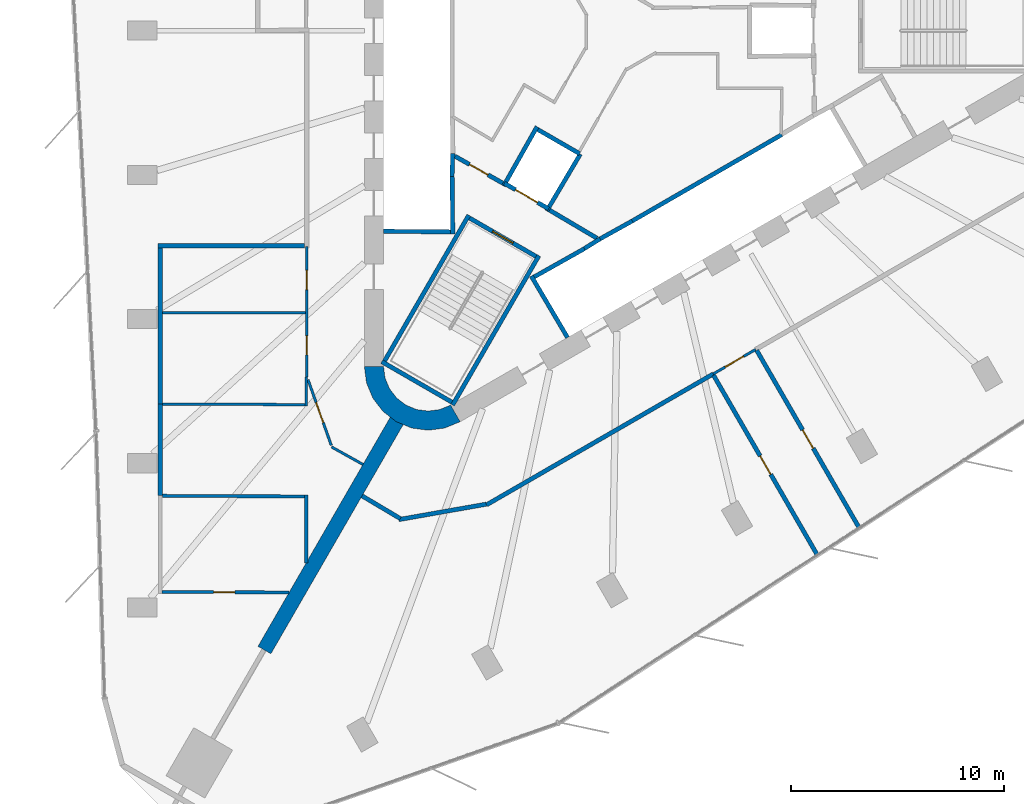
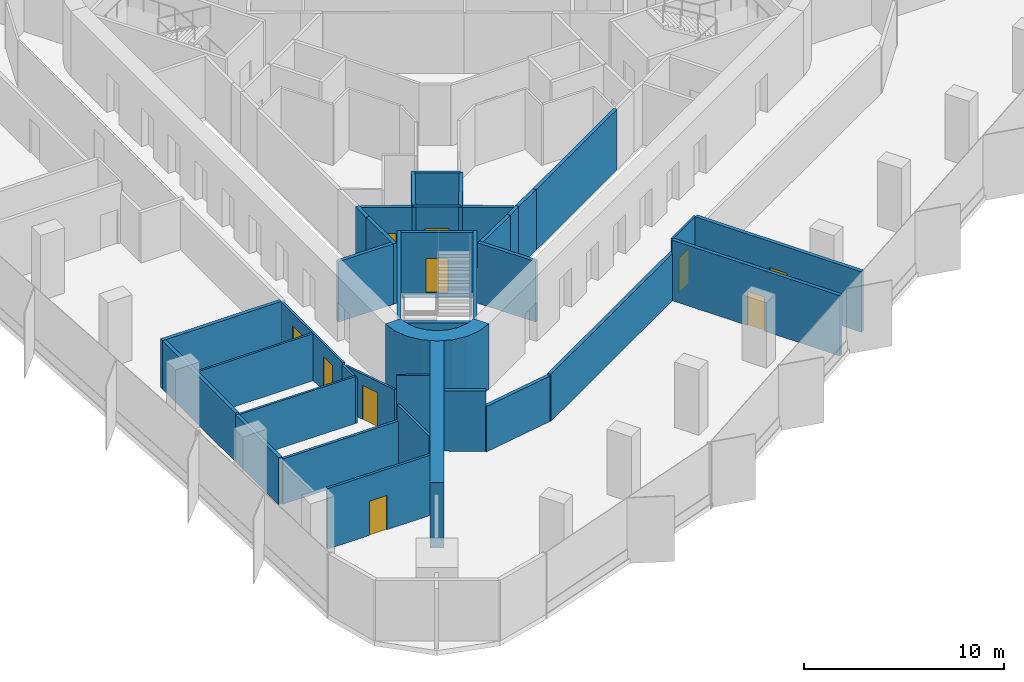
# One storey, part 8 of 13: 38 walls, 10 doors, 10 openings.
"""IFC4 building model written with IfcOpenShell, lengths in metres."""

import ifcopenshell
import ifcopenshell.guid

model = None  # the IFC model being written
_history = None  # IfcOwnerHistory: only IFC2X3 demands one
_inside = {}  # id of a spatial element -> (the spatial element, [elements in it])
_under = {}  # id of a project, library or spatial element -> (it, [spatial elements below it])
_declared = {}  # id of a project -> (the project, [libraries it declares])
_typed = {}  # id of a type object -> (the type object, [elements of that type])
_made_of = {}  # id of a material, layer set ... -> (it, [elements and type objects made of it])


def new_model(schema):
    """Start an empty IFC model of exactly this schema.

    Asked for "IFC4X3", IfcOpenShell would pick the latest addendum, in which some entities
    have other attributes; the version numbers below select the first issue.
    IFC2X3 requires an IfcOwnerHistory on every rooted entity: one is made here for all.
    """
    global model, _history
    if schema == "IFC4X3":
        model = ifcopenshell.file(schema_version=(4, 3, 0, 0))
    else:
        model = ifcopenshell.file(schema=schema)
    _inside.clear()
    _under.clear()
    _declared.clear()
    _typed.clear()
    _made_of.clear()
    _history = None
    if model.schema == "IFC2X3":
        org = make("IfcOrganization", Name="unknown")
        user = make(
            "IfcPersonAndOrganization",
            ThePerson=make("IfcPerson", FamilyName="unknown"),
            TheOrganization=org,
        )
        app = make(
            "IfcApplication",
            ApplicationDeveloper=org,
            Version="unknown",
            ApplicationFullName="unknown",
            ApplicationIdentifier="unknown",
        )
        _history = make(
            "IfcOwnerHistory",
            OwningUser=user,
            OwningApplication=app,
            ChangeAction="ADDED",
            CreationDate=0,
        )
    return model


def make(cls, **values):
    """One entity of the class cls with the attributes given. An attribute that is None is left unset."""
    return model.create_entity(
        cls, **{name: value for name, value in values.items() if value is not None}
    )


def rooted(cls, **values):
    """An entity with a GlobalId (a new one), such as an element, a storey or a relation."""
    return make(cls, GlobalId=ifcopenshell.guid.new(), OwnerHistory=_history, **values)


def si_unit(unit_type, name, prefix=None):
    """IfcSIUnit, for example si_unit("LENGTHUNIT", "METRE", prefix="MILLI")."""
    return make("IfcSIUnit", UnitType=unit_type, Prefix=prefix, Name=name)


def assignment(units):
    """IfcUnitAssignment: the units of a project."""
    return None if units is None else make("IfcUnitAssignment", Units=units)


def point(xyz):
    """IfcCartesianPoint."""
    return None if xyz is None else make("IfcCartesianPoint", Coordinates=xyz)


def direction(xyz):
    """IfcDirection."""
    return None if xyz is None else make("IfcDirection", DirectionRatios=xyz)


def frame(location, z_axis=None, x_axis=None):
    """IfcAxis2Placement3D, a coordinate frame: its origin and axes. An axis left out is left unset."""
    return make(
        "IfcAxis2Placement3D",
        Location=point(location),
        Axis=direction(z_axis),
        RefDirection=direction(x_axis),
    )


def frame_2d(location, x_axis=None):
    """IfcAxis2Placement2D, a coordinate frame in the plane: its origin and x axis."""
    return make(
        "IfcAxis2Placement2D", Location=point(location), RefDirection=direction(x_axis)
    )


def origin():
    """The frame at (0, 0, 0) with its axes left unset."""
    return frame((0.0, 0.0, 0.0))


def place(relative_to, where):
    """IfcLocalPlacement: puts the frame where relative to a parent placement (None: the world)."""
    return make(
        "IfcLocalPlacement", PlacementRelTo=relative_to, RelativePlacement=where
    )


def context(
    kind, dimensions, precision=None, world=None, true_north=None, identifier=None
):
    """IfcGeometricRepresentationContext, for example the 3D "Model" context."""
    return make(
        "IfcGeometricRepresentationContext",
        ContextIdentifier=identifier,
        ContextType=kind,
        CoordinateSpaceDimension=dimensions,
        Precision=precision,
        WorldCoordinateSystem=world,
        TrueNorth=true_north,
    )


def subcontext(parent, identifier, kind, view, scale=None):
    """IfcGeometricRepresentationSubContext, for example "Body" below "Model"."""
    return make(
        "IfcGeometricRepresentationSubContext",
        ContextIdentifier=identifier,
        ContextType=kind,
        ParentContext=parent,
        TargetScale=scale,
        TargetView=view,
    )


def project(units=None, contexts=None):
    """IfcProject with its units and contexts."""
    return rooted(
        "IfcProject",
        Name="project",
        RepresentationContexts=contexts,
        UnitsInContext=assignment(units),
    )


def spatial(cls, under=None, at=None, **own):
    """A site, building, storey or space (cls), placed at a placement, below another one or the project."""
    s = rooted(cls, ObjectPlacement=at, **own)
    if under is not None:
        _under.setdefault(under.id(), (under, []))[1].append(s)
    return s


def polyline(points):
    """IfcPolyline through the points."""
    return make("IfcPolyline", Points=[point(p) for p in points])


def profile(cls, at=None, kind="AREA", **sizes):
    """A parametric profile (cls). Its sizes go by their IFC names, for example OverallWidth=200.0."""
    return make(cls, ProfileType=kind, Position=at, **sizes)


def rectangle(**sizes):
    """IfcRectangleProfileDef."""
    return profile("IfcRectangleProfileDef", **sizes)


def outline(outer, holes=None, kind="AREA"):
    """IfcArbitraryClosedProfileDef: a profile drawn as a closed curve; with holes, ...WithVoids."""
    if holes is None:
        return make("IfcArbitraryClosedProfileDef", ProfileType=kind, OuterCurve=outer)
    return make(
        "IfcArbitraryProfileDefWithVoids",
        ProfileType=kind,
        OuterCurve=outer,
        InnerCurves=holes,
    )


def extrude(swept, where, along, depth):
    """IfcExtrudedAreaSolid: the profile swept, set in the frame where, extruded along a direction by depth."""
    return make(
        "IfcExtrudedAreaSolid",
        SweptArea=swept,
        Position=where,
        ExtrudedDirection=direction(along),
        Depth=depth,
    )


def shape(context_of_items, identifier, shape_type, items):
    """IfcShapeRepresentation: the items that make up one representation, for example the "Body"."""
    return make(
        "IfcShapeRepresentation",
        ContextOfItems=context_of_items,
        RepresentationIdentifier=identifier,
        RepresentationType=shape_type,
        Items=items,
    )


def material(Name=None, Category=None):
    """IfcMaterial."""
    return make("IfcMaterial", Name=Name, Category=Category)


def layer(
    of_material, thickness, ventilated=None, Name=None, Category=None, Priority=None
):
    """IfcMaterialLayer: one layer of a wall or slab, of a material (None: an air gap)."""
    return make(
        "IfcMaterialLayer",
        Material=of_material,
        LayerThickness=thickness,
        IsVentilated=ventilated,
        Name=Name,
        Category=Category,
        Priority=Priority,
    )


def layer_set(layers, Name=None):
    """IfcMaterialLayerSet."""
    return make("IfcMaterialLayerSet", MaterialLayers=layers, LayerSetName=Name)


def made_of(thing, what):
    """Note that an element or type object is made of a material, layer set ...; save() writes the relation."""
    if what is not None:
        _made_of.setdefault(what.id(), (what, []))[1].append(thing)
    return thing


def type_object(cls, material=None, **own):
    """A type object (cls), such as IfcWallType, which elements share."""
    return made_of(rooted(cls, **own), material)


def element(
    cls,
    number,
    at=None,
    inside=None,
    cuts=None,
    type_object=None,
    material=None,
    context=None,
    identifier="Body",
    shape_type=None,
    held_by="IfcProductDefinitionShape",
    body=None,
    shapes=None,
    **own,
):
    """One element of the class cls, such as IfcWall. Its Tag is "e" and its number.

    at: its placement. inside: the storey or other place that contains it. cuts: it is an
    opening in that element (IfcRelVoidsElement). A single representation is given by context,
    identifier, shape_type and body (its items); several are given by shapes. held_by: the class
    of the entity that holds the representations. save() writes the other relations.
    """
    e = rooted(cls, Tag="e%d" % number, ObjectPlacement=at, **own)
    if body is not None:
        shapes = [shape(context, identifier, shape_type, body)]
    if shapes is not None:
        e.Representation = make(held_by, Representations=shapes)
    if inside is not None:
        _inside.setdefault(inside.id(), (inside, []))[1].append(e)
    if cuts is not None:
        rooted(
            "IfcRelVoidsElement", RelatingBuildingElement=cuts, RelatedOpeningElement=e
        )
    if type_object is not None:
        _typed.setdefault(type_object.id(), (type_object, []))[1].append(e)
    return made_of(e, material)


def fill(opening, filler):
    """IfcRelFillsElement: the door or window that sits in an opening."""
    return rooted(
        "IfcRelFillsElement",
        RelatingOpeningElement=opening,
        RelatedBuildingElement=filler,
    )


def aggregate(whole, parts):
    """IfcRelAggregates: a whole, such as a stair, and the parts it consists of."""
    return rooted("IfcRelAggregates", RelatingObject=whole, RelatedObjects=parts)


def save(model, path):
    """Write the relations noted so far, then the file.

    IfcRelAggregates (storeys below a building ...), IfcRelContainedInSpatialStructure (elements
    in a storey), IfcRelDefinesByType, IfcRelAssociatesMaterial and IfcRelDeclares: one each for
    every whole, place, type object, material and project.
    """
    for whole, parts in _under.values():
        aggregate(whole, parts)
    for where, things in _inside.values():
        rooted(
            "IfcRelContainedInSpatialStructure",
            RelatedElements=things,
            RelatingStructure=where,
        )
    for kind, things in _typed.values():
        rooted("IfcRelDefinesByType", RelatedObjects=things, RelatingType=kind)
    for what, things in _made_of.values():
        rooted("IfcRelAssociatesMaterial", RelatedObjects=things, RelatingMaterial=what)
    for by, libraries in _declared.values():
        rooted("IfcRelDeclares", RelatingContext=by, RelatedDefinitions=libraries)
    model.write(path)


model = new_model("IFC4")

# Units and contexts
model_context = context("Model", 3, precision=1e-05, world=origin(), true_north=direction((0.0, 1.0)))
body_context = subcontext(model_context, "Body", "Model", "MODEL_VIEW")
ifc_project = project(units=[si_unit("LENGTHUNIT", "METRE"), si_unit("AREAUNIT", "SQUARE_METRE"), si_unit("VOLUMEUNIT", "CUBIC_METRE"), si_unit("PLANEANGLEUNIT", "RADIAN"), si_unit("MASSUNIT", "GRAM", prefix="KILO")], contexts=[model_context])

# Site, building, storey
site_placement = place(None, origin())
site = spatial("IfcSite", under=ifc_project, at=site_placement, CompositionType="ELEMENT")
building_placement = place(site_placement, origin())
building = spatial("IfcBuilding", under=site, at=building_placement, Name="Tanit Gate Tower", CompositionType="ELEMENT")
storey_placement = place(building_placement, frame((0.0, 0.0, 173.199951171875)))
storey = spatial("IfcBuildingStorey", under=building, at=storey_placement, Name="L37", CompositionType="ELEMENT", Elevation=173.199951171875)

# Walls
ifc_material_1 = material(Name="Concrete C50/60", Category="concrete")
ifc_layer_1 = layer(ifc_material_1, 0.699951171875)
ifc_layer_set_1 = layer_set([ifc_layer_1], Name="BUTTRESS FIN 700 C50/60")
wall_type_1 = type_object("IfcWallType", Name="BUTTRESS FIN 700 C50/60", PredefinedType="SHEAR", material=ifc_layer_set_1)
wall_1_placement = place(storey_placement, frame((-10.574951171875, -18.31640625, 0.0), z_axis=(0.0, 0.0, 1.0), x_axis=(-0.499995558535, -0.86602796805, 0.0)))
element("IfcWall", 1, at=wall_1_placement, inside=storey, type_object=wall_type_1, Name="BUTTRESS FIN", PredefinedType="SHEAR", context=body_context, shape_type="SweptSolid", body=[
    extrude(rectangle(XDim=12.4326171875, YDim=0.699951171875, at=frame_2d((6.21630859375, 0.0))), origin(), (0.0, 0.0, 1.0), 4.0),
])
ifc_material_2 = material(Name="Concrete C50/60", Category="concrete")
ifc_layer_2 = layer(ifc_material_2, 0.89990234375)
ifc_layer_set_2 = layer_set([ifc_layer_2], Name="CORE WALL 900 C50/60")
wall_type_2 = type_object("IfcWallType", Name="CORE WALL 900 C50/60", PredefinedType="SHEAR", material=ifc_layer_set_2)
wall_2_placement = place(storey_placement, origin())
element("IfcWall", 2, at=wall_2_placement, inside=storey, type_object=wall_type_2, Name="CORE WALL CORNER", PredefinedType="SHEAR", context=body_context, shape_type="SweptSolid", body=[
    extrude(outline(polyline([(-12.10009765625, -15.76171875), (-11.997802734375, -16.5380859375), (-11.697998046875, -17.26171875), (-11.22119140625, -17.883056640625), (-10.60009765625, -18.359619140625), (-9.87646484375, -18.659423828125), (-9.10009765625, -18.76171875), (-8.323486328125, -18.659423828125), (-7.60009765625, -18.359619140625), (-8.050048828125, -17.580322265625), (-8.556396484375, -17.7900390625), (-9.10009765625, -17.86181640625), (-9.6435546875, -17.7900390625), (-10.14990234375, -17.580322265625), (-10.5849609375, -17.24658203125), (-10.918701171875, -16.811767578125), (-11.12841796875, -16.30517578125), (-11.199951171875, -15.76171875), (-12.10009765625, -15.76171875)])), origin(), (0.0, 0.0, 1.0), 4.0),
])
ifc_material_3 = material(Name="Fire-rated gypsum board partition")
ifc_layer_3 = layer(ifc_material_3, 0.199951171875)
ifc_layer_set_3 = layer_set([ifc_layer_3], Name="INT-WALL-COMPARTMENT")
wall_type_3 = type_object("IfcWallType", Name="INT-WALL-COMPARTMENT", PredefinedType="PARTITIONING", material=ifc_layer_set_3)
wall_3_placement = place(storey_placement, frame((-3.400634765625, -8.43017578125, 0.0), z_axis=(0.0, 0.0, 1.0), x_axis=(0.860615607571, -0.509255118781, 0.0)))
element("IfcWall", 3, at=wall_3_placement, inside=storey, type_object=wall_type_3, Name="Wall Compartment W063", PredefinedType="PARTITIONING", context=body_context, shape_type="SweptSolid", body=[
    extrude(rectangle(XDim=2.58056640625, YDim=0.199951171875, at=frame_2d((1.290283203125, 0.0))), origin(), (0.0, 0.0, 1.0), 3.699951171875),
])

# Wall, opening, door
wall_4_placement = place(storey_placement, frame((-7.849365234375, -5.893798828125, 0.0), z_axis=(0.0, 0.0, 1.0), x_axis=(0.871363259478, -0.490638431059, 0.0)))
wall_4 = element("IfcWall", 4, at=wall_4_placement, inside=storey, type_object=wall_type_3, Name="Wall Compartment W064", PredefinedType="PARTITIONING", context=body_context, shape_type="SweptSolid", body=[
    extrude(rectangle(XDim=2.5810546875, YDim=0.199951171875, at=frame_2d((1.29052734375, 0.0))), origin(), (0.0, 0.0, 1.0), 3.699951171875),
])
opening_1_placement = place(wall_4_placement, frame((0.79052734375, 0.0, 0.0)))
opening_1 = element("IfcOpeningElement", 5, at=opening_1_placement, cuts=wall_4, Name="Opening F10-S09-08", PredefinedType="OPENING", context=body_context, shape_type="SweptSolid", body=[
    extrude(rectangle(XDim=1.0, YDim=2.10009765625, at=frame_2d((0.5, 1.050048828125))), frame((0.0, 0.10986328125, 0.0), z_axis=(0.0, -1.0, 0.0), x_axis=(1.0, 0.0, 0.0)), (0.0, 0.0, 1.0), 0.219970703125),
])
ifc_material_4 = material(Name="Fire-rated steel door leaf", Category="steel")
door_type_1 = type_object("IfcDoorType", Name="INT-DOOR-FIRE-1000", OperationType="NOTDEFINED", PredefinedType="USERDEFINED", material=ifc_material_4)
door_1_placement = place(opening_1_placement, origin())
door_1 = element("IfcDoor", 6, at=door_1_placement, inside=storey, type_object=door_type_1, Name="Door F10-S09-08", ObjectType="FIRE DOOR", OperationType="SINGLE_SWING_LEFT", OverallHeight=2.10009765625, OverallWidth=1.0, PredefinedType="USERDEFINED", context=body_context, shape_type="SweptSolid", body=[
    extrude(rectangle(XDim=1.0, YDim=2.10009765625, at=frame_2d((0.5, 1.050048828125))), frame((0.0, 0.02490234375, 0.0), z_axis=(0.0, -1.0, 0.0), x_axis=(1.0, 0.0, 0.0)), (0.0, 0.0, 1.0), 0.050048828125),
])
fill(opening_1, door_1)

# Walls
wall_5_placement = place(storey_placement, frame((-6.3662109375, -22.26611328125, 0.0), z_axis=(0.0, 0.0, 1.0), x_axis=(0.866024234898, 0.500002024564, 0.0)))
element("IfcWall", 7, at=wall_5_placement, inside=storey, type_object=wall_type_3, Name="Wall Compartment W108", PredefinedType="PARTITIONING", context=body_context, shape_type="SweptSolid", body=[
    extrude(rectangle(XDim=12.29638671875, YDim=0.199951171875, at=frame_2d((6.148193359375, 0.0))), origin(), (0.0, 0.0, 1.0), 2.880126953125),
])
wall_6_placement = place(storey_placement, frame((-10.479736328125, -22.956787109375, 0.0), z_axis=(0.0, 0.0, 1.0), x_axis=(0.984812459939, 0.173621481242, 0.0)))
element("IfcWall", 8, at=wall_6_placement, inside=storey, type_object=wall_type_3, Name="Wall Compartment W109", PredefinedType="PARTITIONING", context=body_context, shape_type="SweptSolid", body=[
    extrude(rectangle(XDim=4.1650390625, YDim=0.199951171875, at=frame_2d((2.08251953125, 0.0))), origin(), (0.0, 0.0, 1.0), 2.780029296875),
])
wall_7_placement = place(storey_placement, frame((-12.20703125, -21.84326171875, 0.0), z_axis=(0.0, 0.0, 1.0), x_axis=(0.859912345357, -0.510441728606, 0.0)))
element("IfcWall", 9, at=wall_7_placement, inside=storey, type_object=wall_type_3, Name="Wall Compartment W110", PredefinedType="PARTITIONING", context=body_context, shape_type="SweptSolid", body=[
    extrude(rectangle(XDim=2.093017578125, YDim=0.199951171875, at=frame_2d((1.04638671875, 0.0))), origin(), (0.0, 0.0, 1.0), 3.699951171875),
])
wall_8_placement = place(storey_placement, frame((-14.89990234375, -10.10009765625, 0.0), z_axis=(0.0, 0.0, 1.0), x_axis=(-1.0, 0.0, 0.0)))
element("IfcWall", 10, at=wall_8_placement, inside=storey, type_object=wall_type_3, Name="Wall Compartment W115", PredefinedType="PARTITIONING", context=body_context, shape_type="SweptSolid", body=[
    extrude(rectangle(XDim=6.880126953125, YDim=0.199951171875, at=frame_2d((3.43994140625, 0.0))), origin(), (0.0, 0.0, 1.0), 2.97998046875),
])
wall_9_placement = place(storey_placement, frame((-21.679931640625, -21.8330078125, 0.0), z_axis=(0.0, 0.0, 1.0), x_axis=(0.0, 1.0, 0.0)))
element("IfcWall", 11, at=wall_9_placement, inside=storey, type_object=wall_type_3, Name="Wall Compartment W118", PredefinedType="PARTITIONING", context=body_context, shape_type="SweptSolid", body=[
    extrude(rectangle(XDim=4.302490234375, YDim=0.199951171875, at=frame_2d((2.1513671875, 0.0))), origin(), (0.0, 0.0, 1.0), 2.880126953125),
])
wall_10_placement = place(storey_placement, frame((-21.679931640625, -17.530517578125, 0.0), z_axis=(0.0, 0.0, 1.0), x_axis=(0.0, 1.0, 0.0)))
element("IfcWall", 12, at=wall_10_placement, inside=storey, type_object=wall_type_3, Name="Wall Compartment W117", PredefinedType="PARTITIONING", context=body_context, shape_type="SweptSolid", body=[
    extrude(rectangle(XDim=7.33056640625, YDim=0.199951171875, at=frame_2d((3.665283203125, 0.0))), origin(), (0.0, 0.0, 1.0), 2.97998046875),
])

# Wall, opening, door
wall_11_placement = place(storey_placement, frame((11.134033203125, -23.344482421875, 0.0), z_axis=(0.0, 0.0, 1.0), x_axis=(-0.50000792458, 0.866020828478, 0.0)))
wall_11 = element("IfcWall", 13, at=wall_11_placement, inside=storey, type_object=wall_type_3, Name="Wall Compartment W127", PredefinedType="PARTITIONING", context=body_context, shape_type="SweptSolid", body=[
    extrude(rectangle(XDim=9.623779296875, YDim=0.199951171875, at=frame_2d((4.81201171875, 0.0))), origin(), (0.0, 0.0, 1.0), 3.699951171875),
])
opening_2_placement = place(wall_11_placement, frame((4.31201171875, 0.0, 0.0)))
opening_2 = element("IfcOpeningElement", 14, at=opening_2_placement, cuts=wall_11, Name="Opening F10-S09-28", PredefinedType="OPENING", context=body_context, shape_type="SweptSolid", body=[
    extrude(rectangle(XDim=1.0, YDim=2.10009765625, at=frame_2d((0.5, 1.050048828125))), frame((0.0, 0.10986328125, 0.0), z_axis=(0.0, -1.0, 0.0), x_axis=(1.0, 0.0, 0.0)), (0.0, 0.0, 1.0), 0.219970703125),
])
door_2_placement = place(opening_2_placement, origin())
door_2 = element("IfcDoor", 15, at=door_2_placement, inside=storey, type_object=door_type_1, Name="Door F10-S09-28", ObjectType="FIRE DOOR", OperationType="SINGLE_SWING_LEFT", OverallHeight=2.10009765625, OverallWidth=1.0, PredefinedType="USERDEFINED", context=body_context, shape_type="SweptSolid", body=[
    extrude(rectangle(XDim=1.0, YDim=2.10009765625, at=frame_2d((0.5, 1.050048828125))), frame((0.0, 0.02490234375, 0.0), z_axis=(0.0, -1.0, 0.0), x_axis=(1.0, 0.0, 0.0)), (0.0, 0.0, 1.0), 0.050048828125),
])
fill(opening_2, door_2)

wall_12_placement = place(storey_placement, frame((4.29541015625, -16.179931640625, 0.0), z_axis=(0.0, 0.0, 1.0), x_axis=(0.500010870188, -0.866019127788, 0.0)))
wall_12 = element("IfcWall", 16, at=wall_12_placement, inside=storey, type_object=wall_type_3, Name="Wall Compartment W128", PredefinedType="PARTITIONING", context=body_context, shape_type="SweptSolid", body=[
    extrude(rectangle(XDim=9.745361328125, YDim=0.199951171875, at=frame_2d((4.87255859375, 0.0))), origin(), (0.0, 0.0, 1.0), 3.699951171875),
])
opening_3_placement = place(wall_12_placement, frame((4.372802734375, 0.0, 0.0)))
opening_3 = element("IfcOpeningElement", 17, at=opening_3_placement, cuts=wall_12, Name="Opening F10-S09-29", PredefinedType="OPENING", context=body_context, shape_type="SweptSolid", body=[
    extrude(rectangle(XDim=1.0, YDim=2.10009765625, at=frame_2d((0.5, 1.050048828125))), frame((0.0, 0.10986328125, 0.0), z_axis=(0.0, -1.0, 0.0), x_axis=(1.0, 0.0, 0.0)), (0.0, 0.0, 1.0), 0.219970703125),
])
door_3_placement = place(opening_3_placement, origin())
door_3 = element("IfcDoor", 18, at=door_3_placement, inside=storey, type_object=door_type_1, Name="Door F10-S09-29", ObjectType="FIRE DOOR", OperationType="SINGLE_SWING_LEFT", OverallHeight=2.10009765625, OverallWidth=1.0, PredefinedType="USERDEFINED", context=body_context, shape_type="SweptSolid", body=[
    extrude(rectangle(XDim=1.0, YDim=2.10009765625, at=frame_2d((0.5, 1.050048828125))), frame((0.0, 0.02490234375, 0.0), z_axis=(0.0, -1.0, 0.0), x_axis=(1.0, 0.0, 0.0)), (0.0, 0.0, 1.0), 0.050048828125),
])
fill(opening_3, door_3)

# Wall, openings, doors
ifc_material_5 = material(Name="Gypsum board partition")
ifc_layer_4 = layer(ifc_material_5, 0.1201171875)
ifc_layer_set_4 = layer_set([ifc_layer_4], Name="INT-WALL-PARTITION")
wall_type_4 = type_object("IfcWallType", Name="INT-WALL-PARTITION", PredefinedType="PARTITIONING", material=ifc_layer_set_4)
wall_13_placement = place(storey_placement, frame((-14.800048828125, -10.1298828125, 0.0), z_axis=(0.0, 0.0, 1.0), x_axis=(0.0, -1.0, 0.0)))
wall_13 = element("IfcWall", 19, at=wall_13_placement, inside=storey, type_object=wall_type_4, Name="Wall Partition W093", PredefinedType="PARTITIONING", context=body_context, shape_type="SweptSolid", body=[
    extrude(rectangle(XDim=6.138427734375, YDim=0.1201171875, at=frame_2d((3.0693359375, 0.0))), origin(), (0.0, 0.0, 1.0), 2.880126953125),
])
opening_4_placement = place(wall_13_placement, frame((1.127197265625, 0.0, 0.0)))
opening_4 = element("IfcOpeningElement", 20, at=opening_4_placement, cuts=wall_13, Name="Opening D09-S09-20", PredefinedType="OPENING", context=body_context, shape_type="SweptSolid", body=[
    extrude(rectangle(XDim=0.89990234375, YDim=2.10009765625, at=frame_2d((0.449951171875, 1.050048828125))), frame((0.0, 0.070068359375, 0.0), z_axis=(0.0, -1.0, 0.0), x_axis=(1.0, 0.0, 0.0)), (0.0, 0.0, 1.0), 0.14013671875),
])
opening_5_placement = place(wall_13_placement, frame((4.1962890625, 0.0, 0.0)))
opening_5 = element("IfcOpeningElement", 21, at=opening_5_placement, cuts=wall_13, Name="Opening D09-S09-21", PredefinedType="OPENING", context=body_context, shape_type="SweptSolid", body=[
    extrude(rectangle(XDim=0.89990234375, YDim=2.10009765625, at=frame_2d((0.449951171875, 1.050048828125))), frame((0.0, 0.070068359375, 0.0), z_axis=(0.0, -1.0, 0.0), x_axis=(1.0, 0.0, 0.0)), (0.0, 0.0, 1.0), 0.14013671875),
])
ifc_material_6 = material(Name="Timber door leaf", Category="wood")
door_type_2 = type_object("IfcDoorType", Name="INT-DOOR-SINGLE-900", OperationType="NOTDEFINED", PredefinedType="NOTDEFINED", material=ifc_material_6)
door_4_placement = place(opening_4_placement, origin())
door_4 = element("IfcDoor", 22, at=door_4_placement, inside=storey, type_object=door_type_2, Name="Door D09-S09-20", OperationType="SINGLE_SWING_LEFT", OverallHeight=2.10009765625, OverallWidth=0.89990234375, PredefinedType="NOTDEFINED", context=body_context, shape_type="SweptSolid", body=[
    extrude(rectangle(XDim=0.89990234375, YDim=2.10009765625, at=frame_2d((0.449951171875, 1.050048828125))), frame((0.0, 0.02490234375, 0.0), z_axis=(0.0, -1.0, 0.0), x_axis=(1.0, 0.0, 0.0)), (0.0, 0.0, 1.0), 0.050048828125),
])
fill(opening_4, door_4)
door_5_placement = place(opening_5_placement, origin())
door_5 = element("IfcDoor", 23, at=door_5_placement, inside=storey, type_object=door_type_2, Name="Door D09-S09-21", OperationType="SINGLE_SWING_RIGHT", OverallHeight=2.10009765625, OverallWidth=0.89990234375, PredefinedType="NOTDEFINED", context=body_context, shape_type="SweptSolid", body=[
    extrude(rectangle(XDim=0.89990234375, YDim=2.10009765625, at=frame_2d((0.449951171875, 1.050048828125))), frame((0.0, 0.02490234375, 0.0), z_axis=(0.0, -1.0, 0.0), x_axis=(1.0, 0.0, 0.0)), (0.0, 0.0, 1.0), 0.050048828125),
])
fill(opening_5, door_5)

# Wall
wall_14_placement = place(storey_placement, frame((-13.64111328125, -19.54443359375, 0.0), z_axis=(0.0, 0.0, 1.0), x_axis=(0.873339078614, -0.487112773149, 0.0)))
element("IfcWall", 24, at=wall_14_placement, inside=storey, type_object=wall_type_4, Name="Wall Partition W095", PredefinedType="PARTITIONING", context=body_context, shape_type="SweptSolid", body=[
    extrude(rectangle(XDim=1.691650390625, YDim=0.1201171875, at=frame_2d((0.845703125, 0.0))), origin(), (0.0, 0.0, 1.0), 3.699951171875),
])

# Wall, opening, door
wall_15_placement = place(storey_placement, frame((-14.74267578125, -16.393798828125, 0.0), z_axis=(0.0, 0.0, 1.0), x_axis=(0.334279115597, -0.942474123186, 0.0)))
wall_15 = element("IfcWall", 25, at=wall_15_placement, inside=storey, type_object=wall_type_4, Name="Wall Partition W096", PredefinedType="PARTITIONING", context=body_context, shape_type="SweptSolid", body=[
    extrude(rectangle(XDim=3.263916015625, YDim=0.1201171875, at=frame_2d((1.6318359375, 0.0))), origin(), (0.0, 0.0, 1.0), 2.780029296875),
])
opening_6_placement = place(wall_15_placement, frame((1.1318359375, 0.0, 0.0)))
opening_6 = element("IfcOpeningElement", 26, at=opening_6_placement, cuts=wall_15, Name="Opening D10-S09-22", PredefinedType="OPENING", context=body_context, shape_type="SweptSolid", body=[
    extrude(rectangle(XDim=1.0, YDim=2.10009765625, at=frame_2d((0.5, 1.050048828125))), frame((0.0, 0.070068359375, 0.0), z_axis=(0.0, -1.0, 0.0), x_axis=(1.0, 0.0, 0.0)), (0.0, 0.0, 1.0), 0.14013671875),
])
ifc_material_7 = material(Name="Timber door leaf", Category="wood")
door_type_3 = type_object("IfcDoorType", Name="INT-DOOR-SINGLE-1000", OperationType="NOTDEFINED", PredefinedType="NOTDEFINED", material=ifc_material_7)
door_6_placement = place(opening_6_placement, origin())
door_6 = element("IfcDoor", 27, at=door_6_placement, inside=storey, type_object=door_type_3, Name="Door D10-S09-22", OperationType="SINGLE_SWING_RIGHT", OverallHeight=2.10009765625, OverallWidth=1.0, PredefinedType="NOTDEFINED", context=body_context, shape_type="SweptSolid", body=[
    extrude(rectangle(XDim=1.0, YDim=2.10009765625, at=frame_2d((0.5, 1.050048828125))), frame((0.0, 0.02490234375, 0.0), z_axis=(0.0, -1.0, 0.0), x_axis=(1.0, 0.0, 0.0)), (0.0, 0.0, 1.0), 0.050048828125),
])
fill(opening_6, door_6)

wall_16_placement = place(storey_placement, frame((4.28271484375, -16.117919921875, 0.0), z_axis=(0.0, 0.0, 1.0), x_axis=(0.866053019151, 0.499952165731, 0.0)))
wall_16 = element("IfcWall", 28, at=wall_16_placement, inside=storey, type_object=wall_type_4, Name="Wall Partition W104", PredefinedType="PARTITIONING", context=body_context, shape_type="SweptSolid", body=[
    extrude(rectangle(XDim=2.300048828125, YDim=0.1201171875, at=frame_2d((1.14990234375, 0.0))), origin(), (0.0, 0.0, 1.0), 3.699951171875),
])
opening_7_placement = place(wall_16_placement, frame((0.64990234375, 0.0, 0.0)))
opening_7 = element("IfcOpeningElement", 29, at=opening_7_placement, cuts=wall_16, Name="Opening D10-S09-19", PredefinedType="OPENING", context=body_context, shape_type="SweptSolid", body=[
    extrude(rectangle(XDim=1.0, YDim=2.10009765625, at=frame_2d((0.5, 1.050048828125))), frame((0.0, 0.070068359375, 0.0), z_axis=(0.0, -1.0, 0.0), x_axis=(1.0, 0.0, 0.0)), (0.0, 0.0, 1.0), 0.14013671875),
])
door_7_placement = place(opening_7_placement, origin())
door_7 = element("IfcDoor", 30, at=door_7_placement, inside=storey, type_object=door_type_3, Name="Door D10-S09-19", OperationType="SINGLE_SWING_LEFT", OverallHeight=2.10009765625, OverallWidth=1.0, PredefinedType="NOTDEFINED", context=body_context, shape_type="SweptSolid", body=[
    extrude(rectangle(XDim=1.0, YDim=2.10009765625, at=frame_2d((0.5, 1.050048828125))), frame((0.0, 0.02490234375, 0.0), z_axis=(0.0, -1.0, 0.0), x_axis=(1.0, 0.0, 0.0)), (0.0, 0.0, 1.0), 0.050048828125),
])
fill(opening_7, door_7)

# Walls
wall_17_placement = place(storey_placement, frame((-14.830078125, -13.25439453125, 0.0), z_axis=(0.0, 0.0, 1.0), x_axis=(-1.0, 0.0, 0.0)))
element("IfcWall", 31, at=wall_17_placement, inside=storey, type_object=wall_type_4, Name="Wall Partition W129", PredefinedType="PARTITIONING", context=body_context, shape_type="SweptSolid", body=[
    extrude(rectangle(XDim=6.75, YDim=0.1201171875, at=frame_2d((3.375, 0.0))), origin(), (0.0, 0.0, 1.0), 2.880126953125),
])
wall_18_placement = place(storey_placement, frame((-14.830078125, -17.62060546875, 0.0), z_axis=(0.0, 0.0, 1.0), x_axis=(0.0, 1.0, 0.0)))
element("IfcWall", 32, at=wall_18_placement, inside=storey, type_object=wall_type_4, Name="Wall Partition W130", PredefinedType="PARTITIONING", context=body_context, shape_type="SweptSolid", body=[
    extrude(rectangle(XDim=1.352294921875, YDim=0.1201171875, at=frame_2d((0.67626953125, 0.0))), origin(), (0.0, 0.0, 1.0), 2.780029296875),
])
wall_19_placement = place(storey_placement, frame((-14.889892578125, -17.560302734375, 0.0), z_axis=(0.0, 0.0, 1.0), x_axis=(-0.999990411956, 0.004379040595, 0.0)))
element("IfcWall", 33, at=wall_19_placement, inside=storey, type_object=wall_type_4, Name="Wall Partition W131", PredefinedType="PARTITIONING", context=body_context, shape_type="SweptSolid", body=[
    extrude(rectangle(XDim=6.690185546875, YDim=0.1201171875, at=frame_2d((3.34521484375, 0.0))), origin(), (0.0, 0.0, 1.0), 2.880126953125),
])

# Wall, opening, door
ifc_material_8 = material(Name="Fire-rated gypsum board partition")
ifc_layer_5 = layer(ifc_material_8, 0.14990234375)
ifc_layer_set_5 = layer_set([ifc_layer_5], Name="INT-WALL-RISER")
wall_type_5 = type_object("IfcWallType", Name="INT-WALL-RISER", PredefinedType="PLUMBINGWALL", material=ifc_layer_set_5)
wall_20_placement = place(storey_placement, frame((-21.60498046875, -26.350341796875, 0.0), z_axis=(0.0, 0.0, 1.0), x_axis=(0.999989138364, -0.004660810408, 0.0)))
wall_20 = element("IfcWall", 34, at=wall_20_placement, inside=storey, type_object=wall_type_5, Name="Wall Riser W120", PredefinedType="PLUMBINGWALL", context=body_context, shape_type="SweptSolid", body=[
    extrude(rectangle(XDim=5.971435546875, YDim=0.14990234375, at=frame_2d((2.98583984375, 0.0))), origin(), (0.0, 0.0, 1.0), 3.699951171875),
])
opening_8_placement = place(wall_20_placement, frame((2.42822265625, 0.0, 0.0)))
opening_8 = element("IfcOpeningElement", 35, at=opening_8_placement, cuts=wall_20, Name="Opening F10-S09-23", PredefinedType="OPENING", context=body_context, shape_type="SweptSolid", body=[
    extrude(rectangle(XDim=1.0, YDim=2.10009765625, at=frame_2d((0.5, 1.050048828125))), frame((0.0, 0.0849609375, 0.0), z_axis=(0.0, -1.0, 0.0), x_axis=(1.0, 0.0, 0.0)), (0.0, 0.0, 1.0), 0.169921875),
])
door_8_placement = place(opening_8_placement, origin())
door_8 = element("IfcDoor", 36, at=door_8_placement, inside=storey, type_object=door_type_1, Name="Door F10-S09-23", ObjectType="FIRE DOOR", OperationType="SINGLE_SWING_RIGHT", OverallHeight=2.10009765625, OverallWidth=1.0, PredefinedType="USERDEFINED", context=body_context, shape_type="SweptSolid", body=[
    extrude(rectangle(XDim=1.0, YDim=2.10009765625, at=frame_2d((0.5, 1.050048828125))), frame((0.0, 0.02490234375, 0.0), z_axis=(0.0, -1.0, 0.0), x_axis=(1.0, 0.0, 0.0)), (0.0, 0.0, 1.0), 0.050048828125),
])
fill(opening_8, door_8)

# Walls
wall_21_placement = place(storey_placement, frame((-14.830078125, -24.986328125, 0.0), z_axis=(0.0, 0.0, 1.0), x_axis=(0.0, 1.0, 0.0)))
element("IfcWall", 37, at=wall_21_placement, inside=storey, type_object=wall_type_5, Name="Wall Riser W132", PredefinedType="PLUMBINGWALL", context=body_context, shape_type="SweptSolid", body=[
    extrude(rectangle(XDim=3.190673828125, YDim=0.14990234375, at=frame_2d((1.59521484375, 0.0))), origin(), (0.0, 0.0, 1.0), 3.699951171875),
])
wall_22_placement = place(storey_placement, frame((-21.580078125, -21.841064453125, 0.0), z_axis=(0.0, 0.0, 1.0), x_axis=(0.999990368422, -0.004388970565, 0.0)))
element("IfcWall", 38, at=wall_22_placement, inside=storey, type_object=wall_type_5, Name="Wall Riser W133", PredefinedType="PLUMBINGWALL", context=body_context, shape_type="SweptSolid", body=[
    extrude(rectangle(XDim=6.675048828125, YDim=0.14990234375, at=frame_2d((3.33740234375, 0.0))), origin(), (0.0, 0.0, 1.0), 2.780029296875),
])
ifc_material_9 = material(Name="Gypsum shaft wall system")
ifc_layer_6 = layer(ifc_material_9, 0.199951171875)
ifc_layer_set_6 = layer_set([ifc_layer_6], Name="INT-WALL-SHAFT")
wall_type_6 = type_object("IfcWallType", Name="INT-WALL-SHAFT", PredefinedType="PLUMBINGWALL", material=ifc_layer_set_6)
wall_23_placement = place(storey_placement, frame((-7.949951171875, -5.7724609375, 0.0), z_axis=(0.0, 0.0, 1.0), x_axis=(-0.030803413295, -0.999525462272, 0.0)))
element("IfcWall", 39, at=wall_23_placement, inside=storey, type_object=wall_type_6, Name="Wall Shaft W008", PredefinedType="PLUMBINGWALL", context=body_context, shape_type="SweptSolid", body=[
    extrude(rectangle(XDim=1.077880859375, YDim=0.199951171875, at=frame_2d((0.5390625, 0.0))), origin(), (0.0, 0.0, 1.0), 3.699951171875),
])
wall_24_placement = place(storey_placement, frame((-7.97900390625, -6.85009765625, 0.0), z_axis=(0.0, 0.0, 1.0), x_axis=(0.011121475088, -0.999938154483, 0.0)))
element("IfcWall", 40, at=wall_24_placement, inside=storey, type_object=wall_type_6, Name="Wall Shaft W010", PredefinedType="PLUMBINGWALL", context=body_context, shape_type="SweptSolid", body=[
    extrude(rectangle(XDim=2.7001953125, YDim=0.199951171875, at=frame_2d((1.35009765625, 0.0))), origin(), (0.0, 0.0, 1.0), 3.699951171875),
])
wall_25_placement = place(storey_placement, frame((-8.050048828125, -9.448974609375, 0.0), z_axis=(0.0, 0.0, 1.0), x_axis=(-0.999957467379, 0.009222983926, 0.0)))
element("IfcWall", 41, at=wall_25_placement, inside=storey, type_object=wall_type_6, Name="Wall Shaft W011", PredefinedType="PLUMBINGWALL", context=body_context, shape_type="SweptSolid", body=[
    extrude(rectangle(XDim=3.150146484375, YDim=0.199951171875, at=frame_2d((1.5751953125, 0.0))), origin(), (0.0, 0.0, 1.0), 3.699951171875),
])
wall_26_placement = place(storey_placement, frame((0.482666015625, -8.935791015625, 0.0), z_axis=(0.0, 0.0, 1.0), x_axis=(0.866030989016, 0.499990325971, 0.0)))
element("IfcWall", 42, at=wall_26_placement, inside=storey, type_object=wall_type_6, Name="Wall Shaft W023", PredefinedType="PLUMBINGWALL", context=body_context, shape_type="SweptSolid", body=[
    extrude(rectangle(XDim=8.099853515625, YDim=0.199951171875, at=frame_2d((4.0498046875, 0.0))), origin(), (0.0, 0.0, 1.0), 3.699951171875),
])
wall_27_placement = place(storey_placement, frame((-2.557861328125, -14.409423828125, 0.0), z_axis=(0.0, 0.0, 1.0), x_axis=(-0.507997497166, 0.861358544901, 0.0)))
element("IfcWall", 43, at=wall_27_placement, inside=storey, type_object=wall_type_6, Name="Wall Shaft W019", PredefinedType="PLUMBINGWALL", context=body_context, shape_type="SweptSolid", body=[
    extrude(rectangle(XDim=3.350341796875, YDim=0.199951171875, at=frame_2d((1.67529296875, 0.0))), origin(), (0.0, 0.0, 1.0), 3.699951171875),
])
wall_28_placement = place(storey_placement, frame((-1.7685546875, -10.23681640625, 0.0), z_axis=(0.0, 0.0, 1.0), x_axis=(-0.871534483978, -0.490334215854, 0.0)))
element("IfcWall", 44, at=wall_28_placement, inside=storey, type_object=wall_type_6, Name="Wall Shaft W020", PredefinedType="PLUMBINGWALL", context=body_context, shape_type="SweptSolid", body=[
    extrude(rectangle(XDim=2.7001953125, YDim=0.199951171875, at=frame_2d((1.35009765625, 0.0))), origin(), (0.0, 0.0, 1.0), 3.699951171875),
])
wall_29_placement = place(storey_placement, frame((-1.02392578125, -9.77099609375, 0.0), z_axis=(0.0, 0.0, 1.0), x_axis=(-0.850348075135, -0.526220629693, 0.0)))
element("IfcWall", 45, at=wall_29_placement, inside=storey, type_object=wall_type_6, Name="Wall Shaft W021", PredefinedType="PLUMBINGWALL", context=body_context, shape_type="SweptSolid", body=[
    extrude(rectangle(XDim=0.878173828125, YDim=0.199951171875, at=frame_2d((0.43896484375, 0.0))), origin(), (0.0, 0.0, 1.0), 3.699951171875),
])
wall_30_placement = place(storey_placement, frame((-1.130126953125, -9.831298828125, 0.0), z_axis=(0.0, 0.0, 1.0), x_axis=(0.874269620932, 0.485440655401, 0.0)))
element("IfcWall", 46, at=wall_30_placement, inside=storey, type_object=wall_type_6, Name="Wall Shaft W022", PredefinedType="PLUMBINGWALL", context=body_context, shape_type="SweptSolid", body=[
    extrude(rectangle(XDim=1.8447265625, YDim=0.199951171875, at=frame_2d((0.92236328125, 0.0))), origin(), (0.0, 0.0, 1.0), 3.699951171875),
])

# Wall, opening, door
wall_31_placement = place(storey_placement, frame((-3.44580078125, -8.3681640625, 0.0), z_axis=(0.0, 0.0, 1.0), x_axis=(-0.866024647952, 0.500001309137, 0.0)))
wall_31 = element("IfcWall", 47, at=wall_31_placement, inside=storey, type_object=wall_type_6, Name="Wall Shaft W045", PredefinedType="PLUMBINGWALL", context=body_context, shape_type="SweptSolid", body=[
    extrude(rectangle(XDim=2.39990234375, YDim=0.199951171875, at=frame_2d((1.199951171875, 0.0))), origin(), (0.0, 0.0, 1.0), 3.699951171875),
])
opening_9_placement = place(wall_31_placement, frame((0.60009765625, 0.0, 0.0)))
opening_9 = element("IfcOpeningElement", 48, at=opening_9_placement, cuts=wall_31, Name="Opening LDFL3-L37", PredefinedType="OPENING", context=body_context, shape_type="SweptSolid", body=[
    extrude(rectangle(XDim=1.199951171875, YDim=2.39990234375, at=frame_2d((0.60009765625, 1.199951171875))), frame((0.0, 0.10986328125, 0.0), z_axis=(0.0, -1.0, 0.0), x_axis=(1.0, 0.0, 0.0)), (0.0, 0.0, 1.0), 0.219970703125),
])
ifc_material_10 = material(Name="Stainless steel sliding door leaf", Category="steel")
door_type_4 = type_object("IfcDoorType", Name="INT-DOOR-LANDING-1200", OperationType="NOTDEFINED", PredefinedType="USERDEFINED", material=ifc_material_10)
door_9_placement = place(opening_9_placement, origin())
door_9 = element("IfcDoor", 49, at=door_9_placement, inside=storey, type_object=door_type_4, Name="Door LDFL3-L37", ObjectType="LANDING DOOR", OperationType="SLIDING_TO_LEFT", OverallHeight=2.39990234375, OverallWidth=1.199951171875, PredefinedType="USERDEFINED", context=body_context, shape_type="SweptSolid", body=[
    extrude(rectangle(XDim=1.199951171875, YDim=2.39990234375, at=frame_2d((0.60009765625, 1.199951171875))), frame((0.0, 0.02490234375, 0.0), z_axis=(0.0, -1.0, 0.0), x_axis=(1.0, 0.0, 0.0)), (0.0, 0.0, 1.0), 0.050048828125),
])
fill(opening_9, door_9)

# Walls
wall_32_placement = place(storey_placement, frame((-1.960693359375, -5.796142578125, 0.0), z_axis=(0.0, 0.0, 1.0), x_axis=(-0.508647062354, -0.860975125052, 0.0)))
element("IfcWall", 50, at=wall_32_placement, inside=storey, type_object=wall_type_6, Name="Wall Shaft W046", PredefinedType="PLUMBINGWALL", context=body_context, shape_type="SweptSolid", body=[
    extrude(rectangle(XDim=3.10009765625, YDim=0.199951171875, at=frame_2d((1.550048828125, 0.0))), origin(), (0.0, 0.0, 1.0), 3.699951171875),
])
wall_33_placement = place(storey_placement, frame((-3.989990234375, -4.509033203125, 0.0), z_axis=(0.0, 0.0, 1.0), x_axis=(-0.491358283181, -0.870957540612, 0.0)))
element("IfcWall", 51, at=wall_33_placement, inside=storey, type_object=wall_type_6, Name="Wall Shaft W047", PredefinedType="PLUMBINGWALL", context=body_context, shape_type="SweptSolid", body=[
    extrude(rectangle(XDim=3.200439453125, YDim=0.199951171875, at=frame_2d((1.60009765625, 0.0))), origin(), (0.0, 0.0, 1.0), 3.699951171875),
])
wall_34_placement = place(storey_placement, frame((-3.95263671875, -4.646240234375, 0.0), z_axis=(0.0, 0.0, 1.0), x_axis=(0.866065302921, -0.4999308863, 0.0)))
element("IfcWall", 52, at=wall_34_placement, inside=storey, type_object=wall_type_6, Name="Wall Shaft W048", PredefinedType="PLUMBINGWALL", context=body_context, shape_type="SweptSolid", body=[
    extrude(rectangle(XDim=2.264404296875, YDim=0.199951171875, at=frame_2d((1.13232421875, 0.0))), origin(), (0.0, 0.0, 1.0), 3.699951171875),
])
ifc_material_11 = material(Name="Concrete C40/50", Category="concrete")
ifc_layer_7 = layer(ifc_material_11, 0.199951171875)
ifc_layer_set_7 = layer_set([ifc_layer_7], Name="INT-WALL-STAIR")
wall_type_7 = type_object("IfcWallType", Name="INT-WALL-STAIR", PredefinedType="SHEAR", material=ifc_layer_set_7)
wall_35_placement = place(storey_placement, frame((-3.904541015625, -10.56298828125, -0.300048828125), z_axis=(0.0, 0.0, 1.0), x_axis=(-0.500012932018, -0.866017937352, 0.0)))
element("IfcWall", 53, at=wall_35_placement, inside=storey, type_object=wall_type_7, Name="Wall Stair W041", PredefinedType="SHEAR", context=body_context, shape_type="SweptSolid", body=[
    extrude(rectangle(XDim=8.099853515625, YDim=0.199951171875, at=frame_2d((4.0498046875, 0.0))), origin(), (0.0, 0.0, 1.0), 4.0),
])
wall_36_placement = place(storey_placement, frame((-11.281982421875, -15.541015625, -0.300048828125), z_axis=(0.0, 0.0, 1.0), x_axis=(0.866000483506, -0.500043160704, 0.0)))
element("IfcWall", 54, at=wall_36_placement, inside=storey, type_object=wall_type_7, Name="Wall Stair W042", PredefinedType="SHEAR", context=body_context, shape_type="SweptSolid", body=[
    extrude(rectangle(XDim=3.800048828125, YDim=0.199951171875, at=frame_2d((1.89990234375, 0.0))), origin(), (0.0, 0.0, 1.0), 4.0),
])
wall_37_placement = place(storey_placement, frame((-7.195556640625, -8.662841796875, -0.300048828125), z_axis=(0.0, 0.0, 1.0), x_axis=(-0.499997992926, -0.866026562566, 0.0)))
element("IfcWall", 55, at=wall_37_placement, inside=storey, type_object=wall_type_7, Name="Wall Stair W043", PredefinedType="SHEAR", context=body_context, shape_type="SweptSolid", body=[
    extrude(rectangle(XDim=7.89990234375, YDim=0.199951171875, at=frame_2d((3.949951171875, 0.0))), origin(), (0.0, 0.0, 1.0), 4.0),
])

# Wall, opening, door
wall_38_placement = place(storey_placement, frame((-4.041259765625, -10.599365234375, -0.300048828125), z_axis=(0.0, 0.0, 1.0), x_axis=(-0.866047807691, 0.499961193289, 0.0)))
wall_38 = element("IfcWall", 56, at=wall_38_placement, inside=storey, type_object=wall_type_7, Name="Wall Stair W044", PredefinedType="SHEAR", context=body_context, shape_type="SweptSolid", body=[
    extrude(rectangle(XDim=3.599853515625, YDim=0.199951171875, at=frame_2d((1.7998046875, 0.0))), origin(), (0.0, 0.0, 1.0), 4.0),
])
opening_10_placement = place(wall_38_placement, frame((1.25, 0.0, 0.300048828125)))
opening_10 = element("IfcOpeningElement", 57, at=opening_10_placement, cuts=wall_38, Name="Opening S11-S09-07", PredefinedType="OPENING", context=body_context, shape_type="SweptSolid", body=[
    extrude(rectangle(XDim=1.10009765625, YDim=2.10009765625, at=frame_2d((0.550048828125, 1.050048828125))), frame((0.0, 0.10986328125, 0.0), z_axis=(0.0, -1.0, 0.0), x_axis=(1.0, 0.0, 0.0)), (0.0, 0.0, 1.0), 0.219970703125),
])
ifc_material_12 = material(Name="Timber door leaf", Category="wood")
door_type_5 = type_object("IfcDoorType", Name="INT-DOOR-STAIR-1100", OperationType="NOTDEFINED", PredefinedType="USERDEFINED", material=ifc_material_12)
door_10_placement = place(opening_10_placement, origin())
door_10 = element("IfcDoor", 58, at=door_10_placement, inside=storey, type_object=door_type_5, Name="Door S11-S09-07", ObjectType="FIRE DOOR", OperationType="SINGLE_SWING_RIGHT", OverallHeight=2.10009765625, OverallWidth=1.10009765625, PredefinedType="USERDEFINED", context=body_context, shape_type="SweptSolid", body=[
    extrude(rectangle(XDim=1.10009765625, YDim=2.10009765625, at=frame_2d((0.550048828125, 1.050048828125))), frame((0.0, 0.02490234375, 0.0), z_axis=(0.0, -1.0, 0.0), x_axis=(1.0, 0.0, 0.0)), (0.0, 0.0, 1.0), 0.050048828125),
])
fill(opening_10, door_10)

save(model, "model.ifc")
